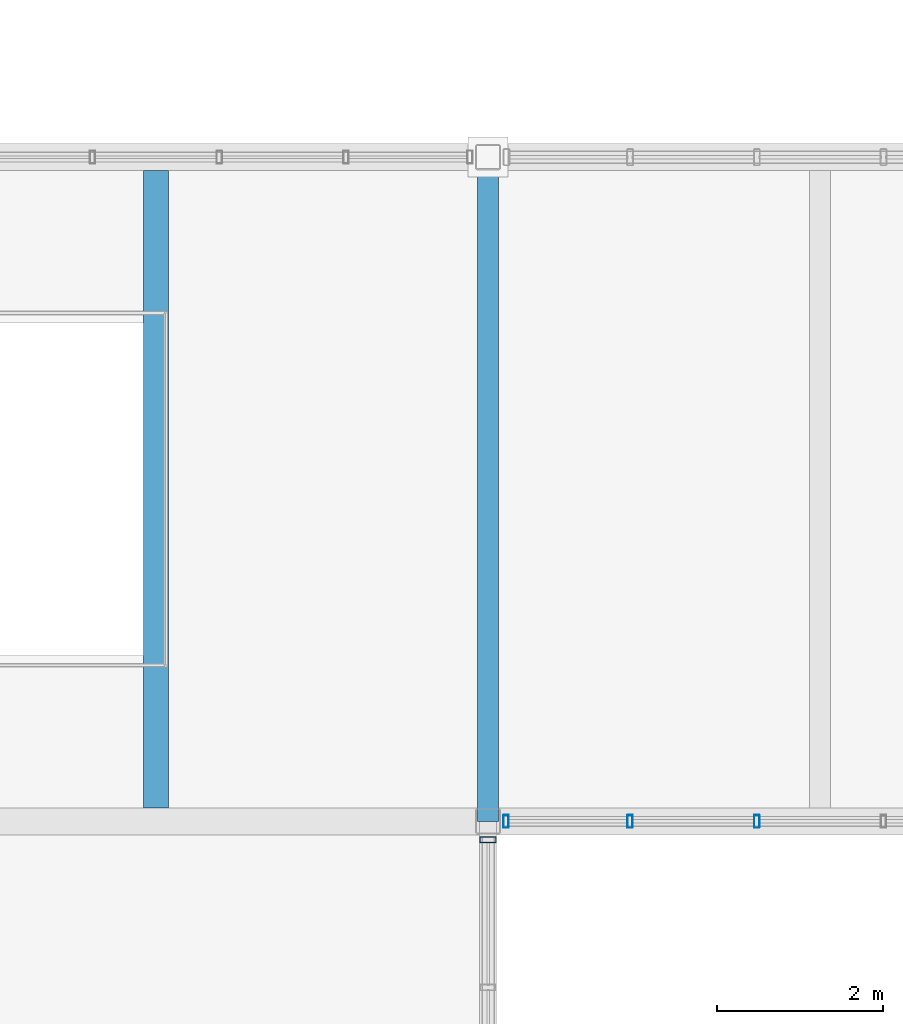
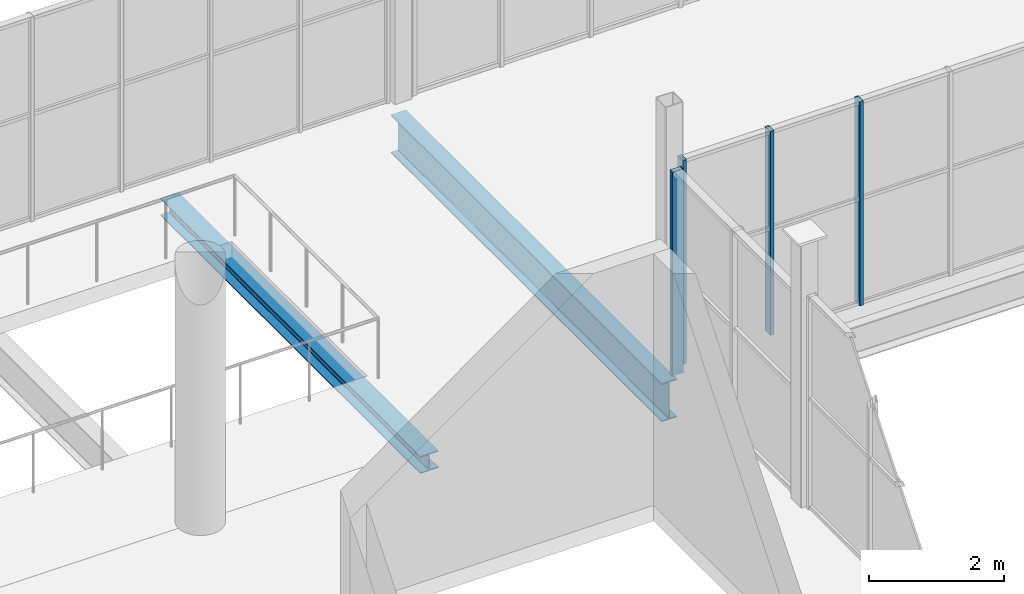
# One storey, part 47 of 114: 4 members, 2 beams, 2 elements without a shape of their own.
"""IFC4 building model written with IfcOpenShell, lengths in metres."""

from ifc_helpers import new_model, si_unit, direction, frame, origin, origin_2d, place, context, subcontext, project, spatial, hollow_rectangle, i_section, extrude, material, material_profile, profile_set, type_object, element, aggregate, save


model = new_model("IFC4")

# Units and contexts
model_context = context("Model", 3, precision=1e-05, world=origin(), true_north=direction((0.0, 1.0)))
body_context = subcontext(model_context, "Body", "Model", "MODEL_VIEW")
ifc_project = project(units=[si_unit("LENGTHUNIT", "METRE"), si_unit("AREAUNIT", "SQUARE_METRE"), si_unit("VOLUMEUNIT", "CUBIC_METRE"), si_unit("PLANEANGLEUNIT", "RADIAN"), si_unit("MASSUNIT", "GRAM", prefix="KILO")], contexts=[model_context])

# Site, building, storey
site_placement = place(None, origin())
site = spatial("IfcSite", under=ifc_project, at=site_placement, CompositionType="ELEMENT")
building_placement = place(site_placement, origin())
building = spatial("IfcBuilding", under=site, at=building_placement, Name="Verrall Gate Interchange", CompositionType="ELEMENT")
storey_placement = place(building_placement, frame((0.0, 0.0, 6.60009765625)))
storey = spatial("IfcBuildingStorey", under=building, at=storey_placement, Name="L02", CompositionType="ELEMENT", Elevation=6.60009765625)

# Beam
ifc_material_1 = material(Name="Structural Steel CSA G40.21 350WT Cat 4", Category="steel")
ifc_material_profile_1 = material_profile(ifc_material_1, i_section(OverallWidth=0.256103515625, OverallDepth=0.693115234375, WebThickness=0.01318359375, FlangeThickness=0.02001953125, FilletRadius=0.01611328125, at=origin_2d()), Name="W690x170")
ifc_profile_set_1 = profile_set([ifc_material_profile_1], Name="Structural Steel CSA G40.21 350WT Cat 4")
beam_type_1 = type_object("IfcBeamType", Name="B-07 Structural Beam W690x170", PredefinedType="BEAM", material=ifc_profile_set_1)
beam_1_placement = place(storey_placement, frame((108.0, 48.0, -0.626708984375), z_axis=(0.0, 1.0, 0.0), x_axis=(-1.0, 0.0, 0.0)))
element("IfcBeam", 1, at=beam_1_placement, inside=storey, type_object=beam_type_1, Name="L02 Girder BM-L02-1780 (B-07)", PredefinedType="BEAM", context=body_context, shape_type="SweptSolid", body=[
    extrude(i_section(OverallWidth=0.256103515625, OverallDepth=0.693115234375, WebThickness=0.01318359375, FlangeThickness=0.02001953125, FilletRadius=0.01611328125, at=origin_2d()), origin(), (0.0, 0.0, 1.0), 8.0),
])

# Curtain wall, members
ifc_material_2 = material(Name="Thermally Broken Anodized Aluminium Curtain Wall Framing", Category="aluminium")
curtain_wall_type_1 = type_object("IfcCurtainWallType", Name="CW-21 Unitized Curtain Wall 7631x3680", PredefinedType="NOTDEFINED", material=ifc_material_2)
curtain_wall_1_placement = place(storey_placement, origin())
curtain_wall_1 = element("IfcCurtainWall", 2, at=curtain_wall_1_placement, inside=storey, type_object=curtain_wall_type_1, Name="L02 Unitized Curtain Wall CW-L02-070", PredefinedType="NOTDEFINED")
ifc_material_3 = material(Name="Thermally Broken Anodized Aluminium Curtain Wall Framing", Category="aluminium")
ifc_material_profile_2 = material_profile(ifc_material_3, hollow_rectangle(XDim=0.06494140625, YDim=0.159912109375, WallThickness=0.00390625, InnerFilletRadius=0.00390625, OuterFilletRadius=0.008056640625, at=origin_2d()), Name="CWM160x65x4")
ifc_profile_set_2 = profile_set([ifc_material_profile_2], Name="Thermally Broken Anodized Aluminium Curtain Wall Framing")
member_type_1 = type_object("IfcMemberType", Name="CM-01 Curtain Mullion CWM160x65x4", PredefinedType="MULLION", material=ifc_profile_set_2)
member_1_placement = place(storey_placement, frame((108.217041015625, 48.0, 0.0), z_axis=(0.0, 0.0, 1.0), x_axis=(1.0, 0.0, 0.0)))
member_1 = element("IfcMember", 3, at=member_1_placement, type_object=member_type_1, Name="CW-L02-070 Mullion 1", PredefinedType="MULLION", context=body_context, shape_type="SweptSolid", body=[
    extrude(hollow_rectangle(XDim=0.06494140625, YDim=0.159912109375, WallThickness=0.00390625, InnerFilletRadius=0.00390625, OuterFilletRadius=0.008056640625, at=origin_2d()), origin(), (0.0, 0.0, 1.0), 3.679931640625),
])
member_2_placement = place(storey_placement, frame((109.710693359375, 48.0, 0.0), z_axis=(0.0, 0.0, 1.0), x_axis=(1.0, 0.0, 0.0)))
member_2 = element("IfcMember", 4, at=member_2_placement, type_object=member_type_1, Name="CW-L02-070 Mullion 2", PredefinedType="MULLION", context=body_context, shape_type="SweptSolid", body=[
    extrude(hollow_rectangle(XDim=0.06494140625, YDim=0.159912109375, WallThickness=0.00390625, InnerFilletRadius=0.00390625, OuterFilletRadius=0.008056640625, at=origin_2d()), origin(), (0.0, 0.0, 1.0), 3.679931640625),
])
member_3_placement = place(storey_placement, frame((111.23681640625, 48.0, 0.0), z_axis=(0.0, 0.0, 1.0), x_axis=(1.0, 0.0, 0.0)))
member_3 = element("IfcMember", 5, at=member_3_placement, type_object=member_type_1, Name="CW-L02-070 Mullion 3", PredefinedType="MULLION", context=body_context, shape_type="SweptSolid", body=[
    extrude(hollow_rectangle(XDim=0.06494140625, YDim=0.159912109375, WallThickness=0.00390625, InnerFilletRadius=0.00390625, OuterFilletRadius=0.008056640625, at=origin_2d()), origin(), (0.0, 0.0, 1.0), 3.679931640625),
])
aggregate(curtain_wall_1, [member_1, member_2, member_3])

# Curtain wall, member
ifc_material_4 = material(Name="Thermally Broken Anodized Aluminium Curtain Wall Framing", Category="aluminium")
curtain_wall_type_2 = type_object("IfcCurtainWallType", Name="CW-20 Unitized Curtain Wall 3631x3680", PredefinedType="NOTDEFINED", material=ifc_material_4)
curtain_wall_2_placement = place(storey_placement, origin())
curtain_wall_2 = element("IfcCurtainWall", 6, at=curtain_wall_2_placement, inside=storey, type_object=curtain_wall_type_2, Name="L02 Unitized Curtain Wall CW-L02-069", PredefinedType="NOTDEFINED")
ifc_material_5 = material(Name="Thermally Broken Anodized Aluminium Curtain Wall Framing", Category="aluminium")
ifc_material_profile_3 = material_profile(ifc_material_5, hollow_rectangle(XDim=0.074951171875, YDim=0.199951171875, WallThickness=0.0048828125, InnerFilletRadius=0.0048828125, OuterFilletRadius=0.010009765625, at=origin_2d()), Name="CWM200x75x5")
ifc_profile_set_3 = profile_set([ifc_material_profile_3], Name="Thermally Broken Anodized Aluminium Curtain Wall Framing")
member_type_2 = type_object("IfcMemberType", Name="CM-02 Curtain Mullion CWM200x75x5", PredefinedType="MULLION", material=ifc_profile_set_3)
member_4_placement = place(storey_placement, frame((108.0, 47.778076171875, 0.0), z_axis=(0.0, 0.0, 1.0), x_axis=(0.0, 1.0, 0.0)))
member_4 = element("IfcMember", 7, at=member_4_placement, type_object=member_type_2, Name="CW-L02-069 Mullion 3", PredefinedType="MULLION", context=body_context, shape_type="SweptSolid", body=[
    extrude(hollow_rectangle(XDim=0.074951171875, YDim=0.199951171875, WallThickness=0.0048828125, InnerFilletRadius=0.0048828125, OuterFilletRadius=0.010009765625, at=origin_2d()), origin(), (0.0, 0.0, 1.0), 3.679931640625),
])
aggregate(curtain_wall_2, [member_4])

# Beam
ifc_material_6 = material(Name="Structural Steel CSA G40.21 350W", Category="steel")
ifc_material_profile_4 = material_profile(ifc_material_6, i_section(OverallWidth=0.306884765625, OverallDepth=0.31396484375, WebThickness=0.011962890625, FlangeThickness=0.018798828125, FilletRadius=0.013916015625, at=origin_2d()), Name="W310x118")
ifc_profile_set_4 = profile_set([ifc_material_profile_4], Name="Structural Steel CSA G40.21 350W")
beam_type_2 = type_object("IfcBeamType", Name="J-02 Floor Joist W310x118", PredefinedType="JOIST", material=ifc_profile_set_4)
beam_2_placement = place(storey_placement, frame((104.0, 48.162109375, -0.43701171875), z_axis=(0.0, 1.0, 0.0), x_axis=(-1.0, 0.0, 0.0)))
element("IfcBeam", 8, at=beam_2_placement, inside=storey, type_object=beam_type_2, Name="L02 Secondary Floor Joist JST-L02-1951", PredefinedType="JOIST", context=body_context, shape_type="SweptSolid", body=[
    extrude(i_section(OverallWidth=0.306884765625, OverallDepth=0.31396484375, WebThickness=0.011962890625, FlangeThickness=0.018798828125, FilletRadius=0.013916015625, at=origin_2d()), origin(), (0.0, 0.0, 1.0), 7.67578125),
])

save(model, "model.ifc")
